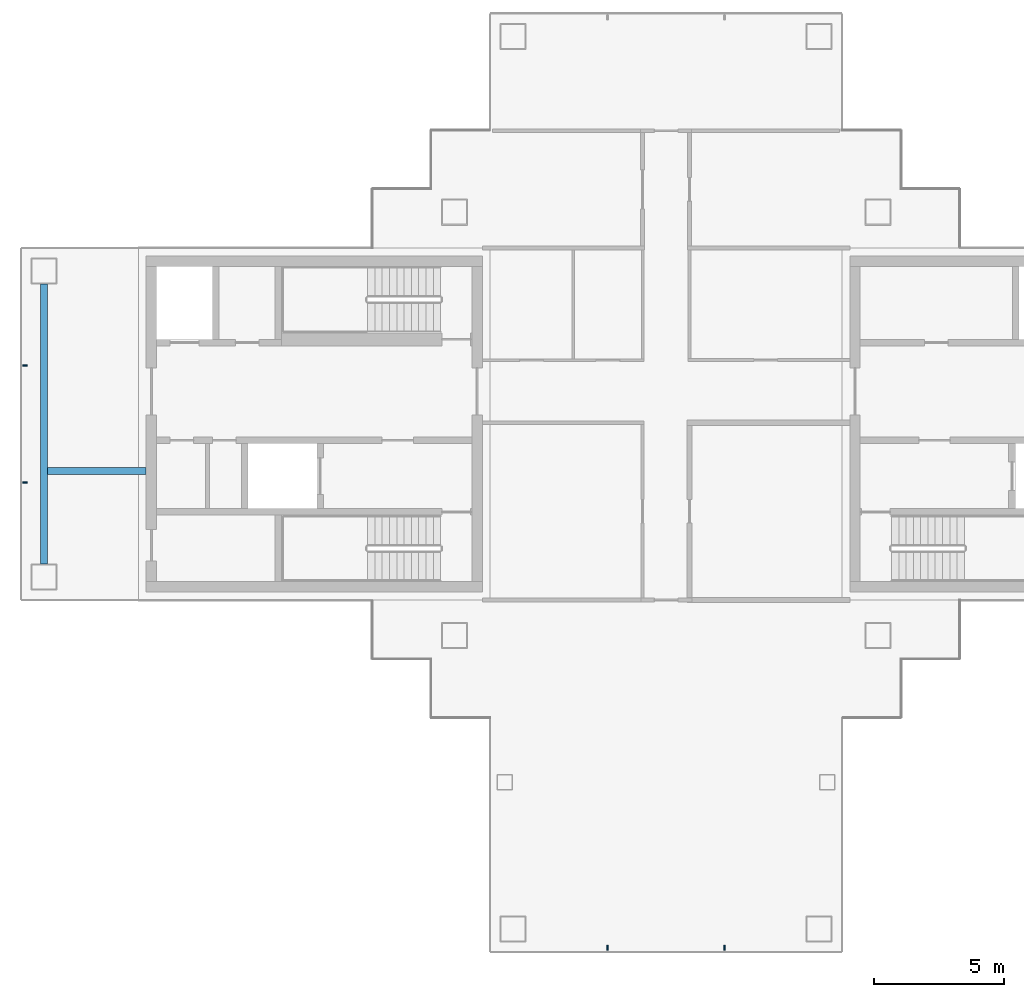
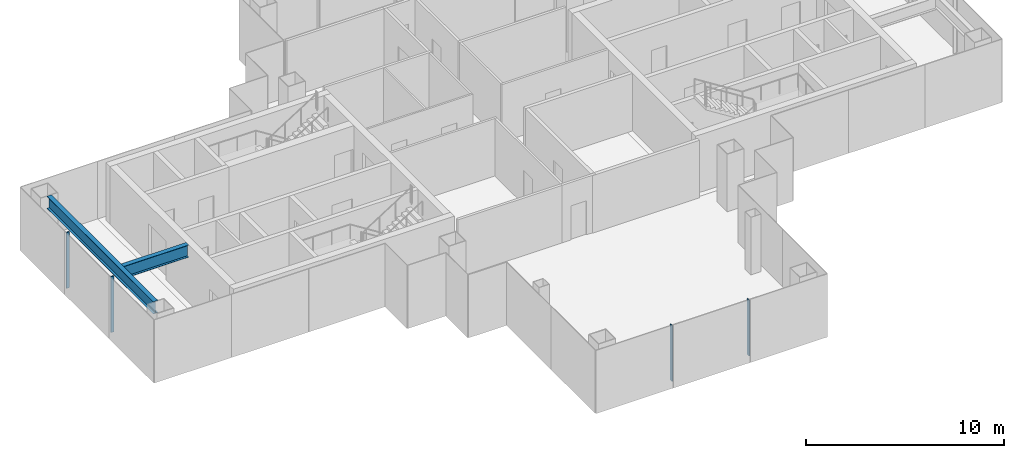
# One storey, part 3 of 16: 4 members, 2 beams, 2 elements without a shape of their own.
"""IFC4 building model written with IfcOpenShell, lengths in metres."""

from ifc_helpers import new_model, si_unit, direction, frame, origin, origin_2d, place, context, subcontext, project, spatial, rectangle, i_section, extrude, material, layer, layer_set, material_profile, profile_set, type_object, element, aggregate, save


model = new_model("IFC4")

# Units and contexts
model_context = context("Model", 3, precision=1e-05, world=origin(), true_north=direction((0.0, 1.0)))
body_context = subcontext(model_context, "Body", "Model", "MODEL_VIEW")
ifc_project = project(units=[si_unit("LENGTHUNIT", "METRE"), si_unit("AREAUNIT", "SQUARE_METRE"), si_unit("VOLUMEUNIT", "CUBIC_METRE"), si_unit("PLANEANGLEUNIT", "RADIAN"), si_unit("MASSUNIT", "GRAM", prefix="KILO")], contexts=[model_context])

# Site, building, storey
site_placement = place(None, origin())
site = spatial("IfcSite", under=ifc_project, at=site_placement, CompositionType="ELEMENT")
building_placement = place(site_placement, origin())
building = spatial("IfcBuilding", under=site, at=building_placement, Name="Shamsa Quay Exchange Towers", CompositionType="ELEMENT")
storey_placement = place(building_placement, frame((0.0, 0.0, 210.0)))
storey = spatial("IfcBuildingStorey", under=building, at=storey_placement, Name="L50", CompositionType="ELEMENT", Elevation=210.0)

# Curtain wall, members
ifc_material_1 = material(Name="Aluminium EN AW-6063 T6, black anodised", Category="aluminium")
ifc_layer = layer(ifc_material_1, 0.280029296875)
ifc_layer_set = layer_set([ifc_layer], Name="CW-1 UNITISED VISION GLASS")
curtain_wall_type = type_object("IfcCurtainWallType", Name="CW-1 UNITISED VISION GLASS", PredefinedType="NOTDEFINED", material=ifc_layer_set)
curtain_wall_1_placement = place(storey_placement, origin())
curtain_wall_1 = element("IfcCurtainWall", 1, at=curtain_wall_1_placement, inside=storey, type_object=curtain_wall_type, Name="CW1 T1-END-V- L50", PredefinedType="NOTDEFINED")
ifc_material_profile_1 = material_profile(ifc_material_1, rectangle(XDim=0.179931640625, YDim=0.06005859375, at=origin_2d()), Name="MU60x180")
ifc_profile_set_1 = profile_set([ifc_material_profile_1], Name="Aluminium EN AW-6063 T6, black anodised")
member_type = type_object("IfcMemberType", Name="CW1 MULLION 60x180", PredefinedType="MULLION", material=ifc_profile_set_1)
member_1_placement = place(storey_placement, frame((-36.0, -20.10009765625, 0.0), z_axis=(0.0, 0.0, 1.0), x_axis=(0.0, 1.0, 0.0)))
member_1 = element("IfcMember", 2, at=member_1_placement, type_object=member_type, Name="CW1 mullion", PredefinedType="MULLION", context=body_context, shape_type="SweptSolid", body=[
    extrude(rectangle(XDim=0.179931640625, YDim=0.06005859375, at=origin_2d()), origin(), (0.0, 0.0, 1.0), 3.449951171875),
])
member_2_placement = place(storey_placement, frame((-31.5, -20.10009765625, 0.0), z_axis=(0.0, 0.0, 1.0), x_axis=(0.0, 1.0, 0.0)))
member_2 = element("IfcMember", 3, at=member_2_placement, type_object=member_type, Name="CW1 mullion", PredefinedType="MULLION", context=body_context, shape_type="SweptSolid", body=[
    extrude(rectangle(XDim=0.179931640625, YDim=0.06005859375, at=origin_2d()), origin(), (0.0, 0.0, 1.0), 3.449951171875),
])
aggregate(curtain_wall_1, [member_1, member_2])

curtain_wall_2_placement = place(storey_placement, origin())
curtain_wall_2 = element("IfcCurtainWall", 4, at=curtain_wall_2_placement, inside=storey, type_object=curtain_wall_type, Name="CW1 T1-END-U- L50", PredefinedType="NOTDEFINED")
member_3_placement = place(storey_placement, frame((-58.35009765625, 2.25, 0.0)))
member_3 = element("IfcMember", 5, at=member_3_placement, type_object=member_type, Name="CW1 mullion", PredefinedType="MULLION", context=body_context, shape_type="SweptSolid", body=[
    extrude(rectangle(XDim=0.179931640625, YDim=0.06005859375, at=origin_2d()), origin(), (0.0, 0.0, 1.0), 3.449951171875),
])
member_4_placement = place(storey_placement, frame((-58.35009765625, -2.25, 0.0)))
member_4 = element("IfcMember", 6, at=member_4_placement, type_object=member_type, Name="CW1 mullion", PredefinedType="MULLION", context=body_context, shape_type="SweptSolid", body=[
    extrude(rectangle(XDim=0.179931640625, YDim=0.06005859375, at=origin_2d()), origin(), (0.0, 0.0, 1.0), 3.449951171875),
])
aggregate(curtain_wall_2, [member_3, member_4])

# Beams
ifc_material_2 = material(Name="Steel S355", Category="steel")
ifc_material_profile_2 = material_profile(ifc_material_2, i_section(OverallWidth=0.26611328125, OverallDepth=0.7578125, WebThickness=0.013916015625, FlangeThickness=0.019287109375, at=origin_2d()), Name="W30x108")
ifc_profile_set_2 = profile_set([ifc_material_profile_2], Name="Steel S355")
beam_type = type_object("IfcBeamType", Name="End-zone beam W30x108", PredefinedType="BEAM", material=ifc_profile_set_2)
beam_1_placement = place(storey_placement, frame((-57.625, -5.375, 3.171142578125), z_axis=(0.0, 1.0, 0.0), x_axis=(-1.0, 0.0, 0.0)))
element("IfcBeam", 7, at=beam_1_placement, inside=storey, type_object=beam_type, Name="End beam T1 U- end zone L50", PredefinedType="BEAM", context=body_context, shape_type="SweptSolid", body=[
    extrude(i_section(OverallWidth=0.26611328125, OverallDepth=0.7578125, WebThickness=0.013916015625, FlangeThickness=0.019287109375, at=origin_2d()), origin(), (0.0, 0.0, 1.0), 10.75),
])
beam_2_placement = place(storey_placement, frame((-53.699951171875, -1.800048828125, 3.171142578125), z_axis=(-1.0, 0.0, 0.0), x_axis=(0.0, -1.0, 0.0)))
element("IfcBeam", 8, at=beam_2_placement, inside=storey, type_object=beam_type, Name="Spine beam T1 U- end zone L50", PredefinedType="BEAM", context=body_context, shape_type="SweptSolid", body=[
    extrude(i_section(OverallWidth=0.26611328125, OverallDepth=0.7578125, WebThickness=0.013916015625, FlangeThickness=0.019287109375, at=origin_2d()), origin(), (0.0, 0.0, 1.0), 3.7919921875),
])

save(model, "model.ifc")
